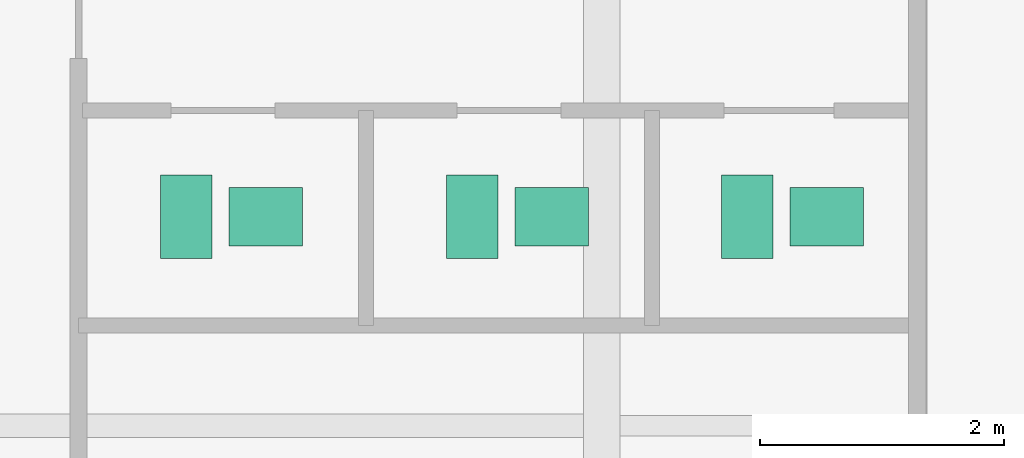
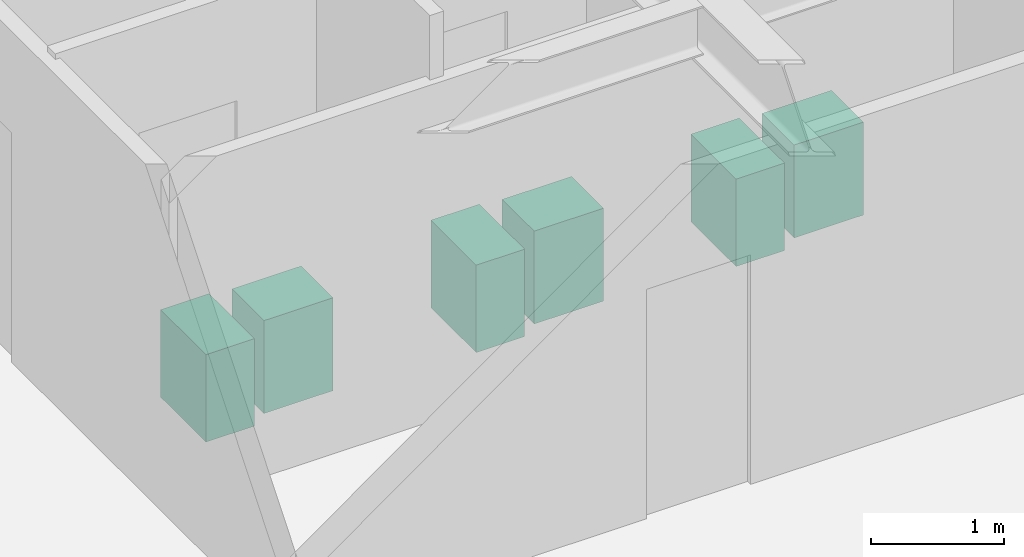
# One storey, part 26 of 26: 6 sanitary terminals.
"""IFC4 building model written with IfcOpenShell, lengths in metres."""

from ifc_helpers import new_model, si_unit, direction, frame, origin, origin_2d, place, context, subcontext, project, spatial, rectangle, extrude, source, transform, mapped, material, type_object, type_shapes, element, save


model = new_model("IFC4")

# Units and contexts
model_context = context("Model", 3, precision=1e-05, world=origin(), true_north=direction((0.0, 1.0)))
body_context = subcontext(model_context, "Body", "Model", "MODEL_VIEW")
ifc_project = project(units=[si_unit("LENGTHUNIT", "METRE"), si_unit("AREAUNIT", "SQUARE_METRE"), si_unit("VOLUMEUNIT", "CUBIC_METRE"), si_unit("PLANEANGLEUNIT", "RADIAN"), si_unit("MASSUNIT", "GRAM", prefix="KILO")], contexts=[model_context])

# Site, building, storey
site_placement = place(None, origin())
site = spatial("IfcSite", under=ifc_project, at=site_placement, CompositionType="ELEMENT")
building_placement = place(site_placement, origin())
building = spatial("IfcBuilding", under=site, at=building_placement, Name="Krantzveldt Concourse Tower", CompositionType="ELEMENT")
storey_placement = place(building_placement, frame((0.0, 0.0, 173.85009765625)))
storey = spatial("IfcBuildingStorey", under=building, at=storey_placement, Name="L42", CompositionType="ELEMENT", Elevation=173.85009765625)

# Sanitary terminals
ifc_material = material(Name="Vitreous china", Category="ceramic")
sanitary_terminal_type_1 = type_object("IfcSanitaryTerminalType", Name="SAN-WC-SUITE", PredefinedType="TOILETPAN", material=ifc_material)
shared_shape_1 = source(origin(), body_context, "Body", "SweptSolid", [
    extrude(rectangle(XDim=0.419921875, YDim=0.679931640625, at=origin_2d()), origin(), (0.0, 0.0, 1.0), 0.800048828125),
])
type_shapes(sanitary_terminal_type_1, [shared_shape_1])
for number, where, z_axis, x_axis, name in (
    (1, (38.0, 31.909912109375, 0.0), (0.0, 0.0, 1.0), (1.0, 0.0, 0.0), "WC-SP-L42-WCM"),
    (2, (40.340087890625, 31.909912109375, 0.0), (0.0, 0.0, 1.0), (1.0, 0.0, 0.0), "WC-SP-L42-WCF"),
    (3, (42.590087890625, 31.909912109375, 0.0), (0.0, 0.0, 1.0), (1.0, 0.0, 0.0), "WC-SP-L42-WCA"),
):
    element("IfcSanitaryTerminal", number, at=place(storey_placement, frame(where, z_axis=z_axis, x_axis=x_axis)), inside=storey, type_object=sanitary_terminal_type_1, Name=name, PredefinedType="TOILETPAN", context=body_context, shape_type="MappedRepresentation", body=[
        mapped(shared_shape_1, transform((0.0, 0.0, 0.0), x_axis=(1.0, 0.0, 0.0), y_axis=(0.0, 1.0, 0.0), z_axis=(0.0, 0.0, 1.0), scale=1.0)),
    ])
sanitary_terminal_type_2 = type_object("IfcSanitaryTerminalType", Name="SAN-BASIN-600", PredefinedType="WASHHANDBASIN", material=ifc_material)
shared_shape_2 = source(origin(), body_context, "Body", "SweptSolid", [
    extrude(rectangle(XDim=0.60009765625, YDim=0.47998046875, at=origin_2d()), origin(), (0.0, 0.0, 1.0), 0.85009765625),
])
type_shapes(sanitary_terminal_type_2, [shared_shape_2])
for number, where, z_axis, x_axis, name in (
    (4, (38.64990234375, 31.909912109375, 0.0048828125), (0.0, 0.0, 1.0), (1.0, 0.0, 0.0), "BSN-SP-L42-WCM"),
    (5, (40.989990234375, 31.909912109375, 0.0048828125), (0.0, 0.0, 1.0), (1.0, 0.0, 0.0), "BSN-SP-L42-WCF"),
    (6, (43.239990234375, 31.909912109375, 0.0048828125), (0.0, 0.0, 1.0), (1.0, 0.0, 0.0), "BSN-SP-L42-WCA"),
):
    element("IfcSanitaryTerminal", number, at=place(storey_placement, frame(where, z_axis=z_axis, x_axis=x_axis)), inside=storey, type_object=sanitary_terminal_type_2, Name=name, PredefinedType="WASHHANDBASIN", context=body_context, shape_type="MappedRepresentation", body=[
        mapped(shared_shape_2, transform((0.0, 0.0, 0.0), x_axis=(1.0, 0.0, 0.0), y_axis=(0.0, 1.0, 0.0), z_axis=(0.0, 0.0, 1.0), scale=1.0)),
    ])

save(model, "model.ifc")
